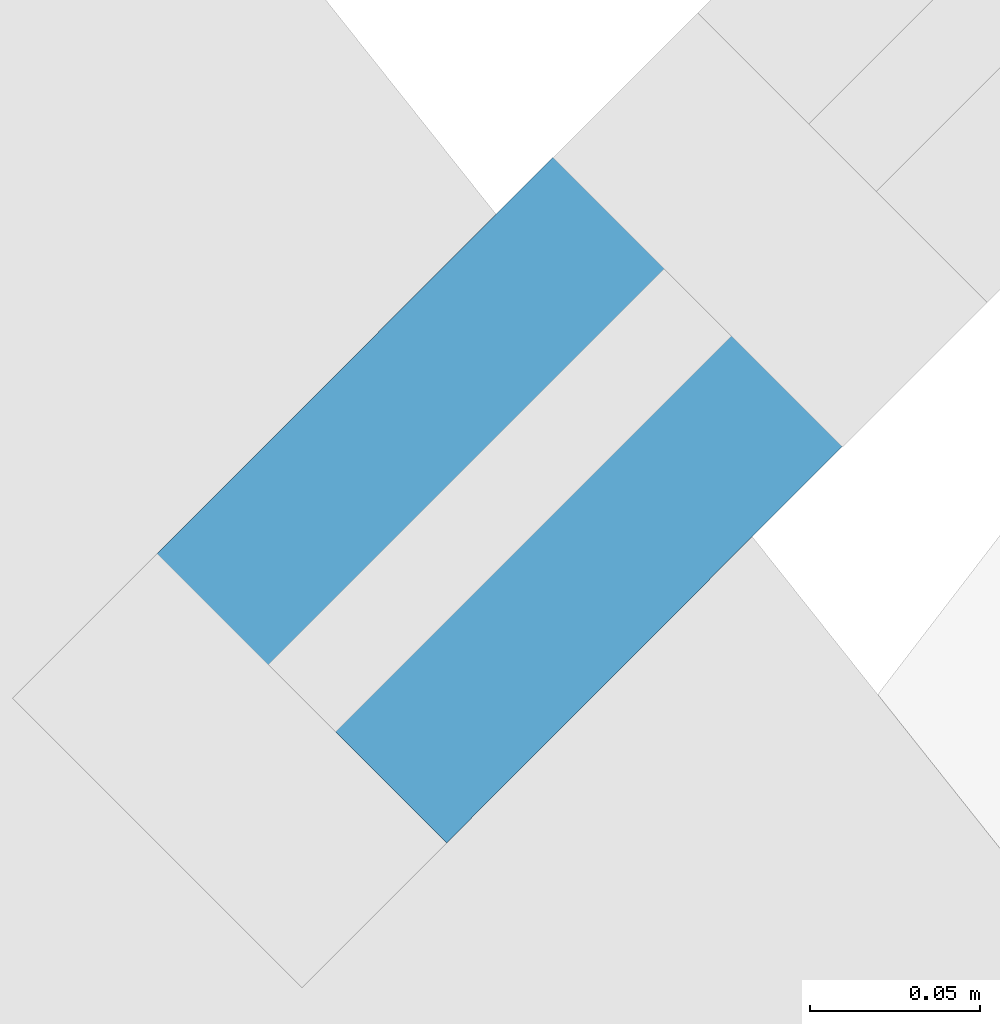
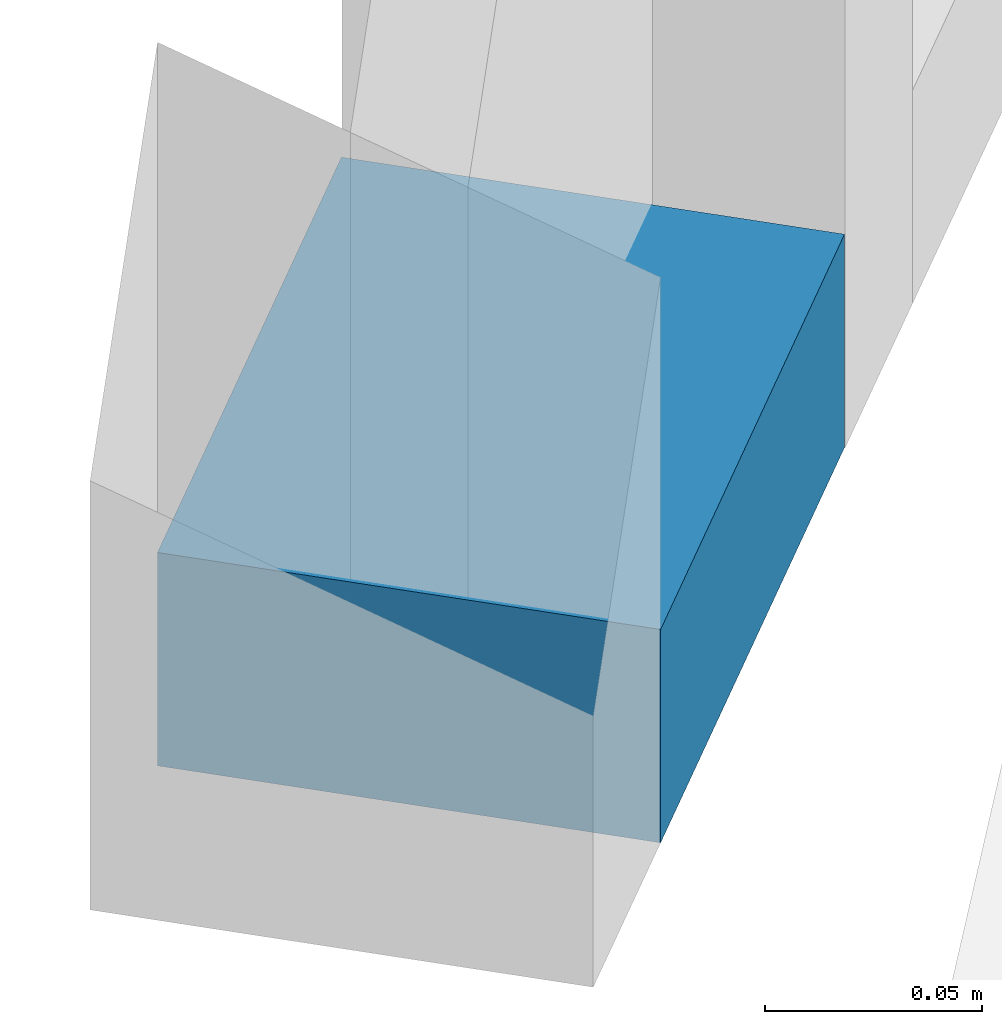
# One storey, part 16 of 33: 1 member, 1 element without a shape of its own.
"""IFC4 building model written with IfcOpenShell, lengths in metres."""

from ifc_helpers import new_model, si_unit, direction, frame, origin, origin_2d, place, context, subcontext, project, spatial, rectangle, extrude, material, layer, layer_set, material_profile, profile_set, type_object, element, aggregate, save


model = new_model("IFC4")

# Units and contexts
model_context = context("Model", 3, precision=1e-05, world=origin(), true_north=direction((0.0, 1.0)))
body_context = subcontext(model_context, "Body", "Model", "MODEL_VIEW")
ifc_project = project(units=[si_unit("LENGTHUNIT", "METRE"), si_unit("AREAUNIT", "SQUARE_METRE"), si_unit("VOLUMEUNIT", "CUBIC_METRE"), si_unit("PLANEANGLEUNIT", "RADIAN"), si_unit("MASSUNIT", "GRAM", prefix="KILO")], contexts=[model_context])

# Site, building, storey
site_placement = place(None, origin())
site = spatial("IfcSite", under=ifc_project, at=site_placement, CompositionType="ELEMENT")
building_placement = place(site_placement, origin())
building = spatial("IfcBuilding", under=site, at=building_placement, Name="Marenta Gate Hotel Tower", CompositionType="ELEMENT")
storey_placement = place(building_placement, frame((0.0, 0.0, 151.699951171875)))
storey = spatial("IfcBuildingStorey", under=building, at=storey_placement, Name="L35", CompositionType="ELEMENT", Elevation=151.699951171875)

# Curtain wall, member
ifc_material_1 = material(Name="Tinted insulated glass in bronze anodised frame", Category="glass")
ifc_layer = layer(ifc_material_1, 0.1201171875)
ifc_layer_set = layer_set([ifc_layer], Name="Tinted insulated glass in bronze anodised frame")
curtain_wall_type = type_object("IfcCurtainWallType", Name="Tower unitised curtain wall CW1", PredefinedType="NOTDEFINED", material=ifc_layer_set)
curtain_wall_placement = place(storey_placement, origin())
curtain_wall = element("IfcCurtainWall", 1, at=curtain_wall_placement, inside=storey, type_object=curtain_wall_type, Name="CW1 run G02", PredefinedType="NOTDEFINED")
ifc_material_2 = material(Name="Bronze anodised aluminium", Category="aluminium")
ifc_material_profile = material_profile(ifc_material_2, rectangle(XDim=0.1201171875, YDim=0.06005859375, at=origin_2d()), Name="Transom CW1 60x120 bronze anodised aluminium")
ifc_profile_set = profile_set([ifc_material_profile], Name="Bronze anodised aluminium")
member_type = type_object("IfcMemberType", Name="Transom CW1 60x120 bronze anodised aluminium", PredefinedType="USERDEFINED", material=ifc_profile_set)
member_placement = place(storey_placement, frame((-26.013671875, 25.977294921875, 0.030029296875), z_axis=(-0.706364412476, -0.707848371325, 0.0), x_axis=(0.707848371325, -0.706364412476, 0.0)))
member = element("IfcMember", 2, at=member_placement, type_object=member_type, Name="CW1 transom 1.1", ObjectType="TRANSOM", PredefinedType="USERDEFINED", context=body_context, shape_type="SweptSolid", body=[
    extrude(rectangle(XDim=0.1201171875, YDim=0.06005859375, at=origin_2d()), origin(), (0.0, 0.0, 1.0), 0.16455078125),
])
aggregate(curtain_wall, [member])

save(model, "model.ifc")
